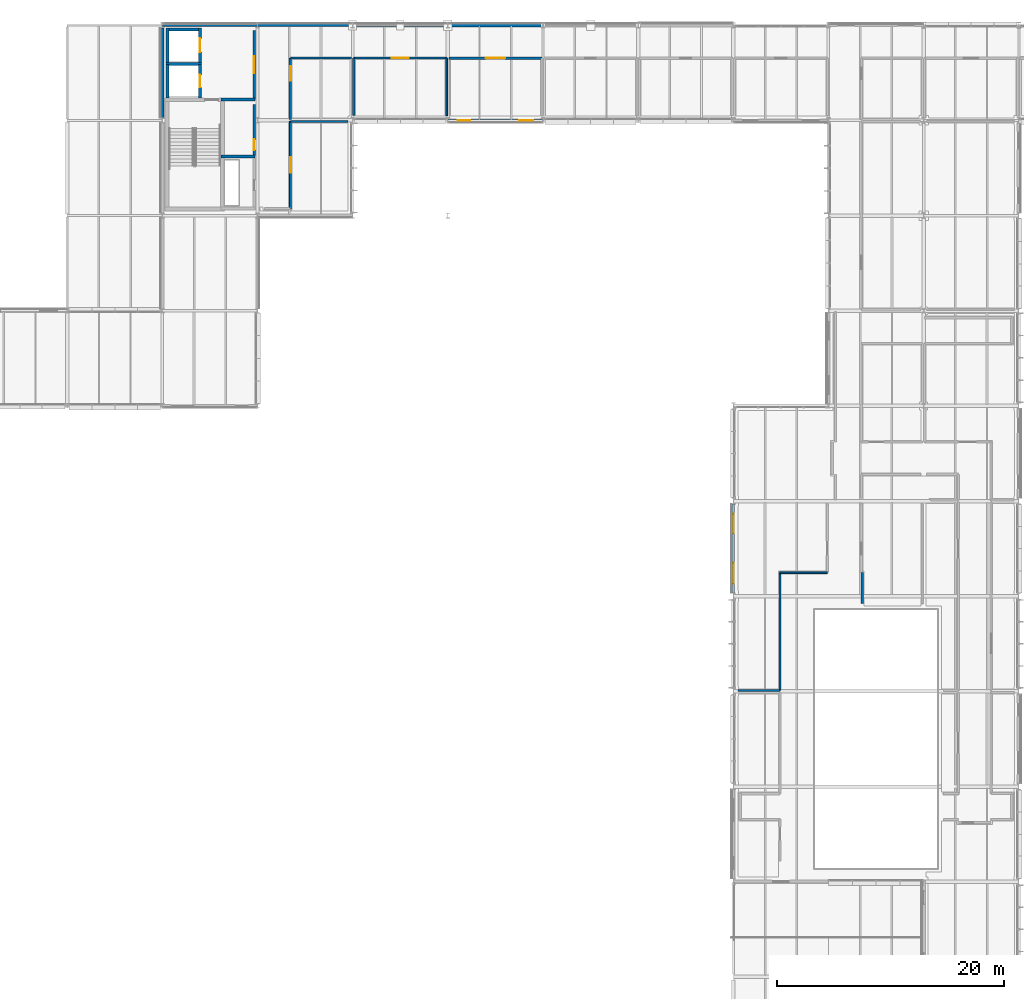
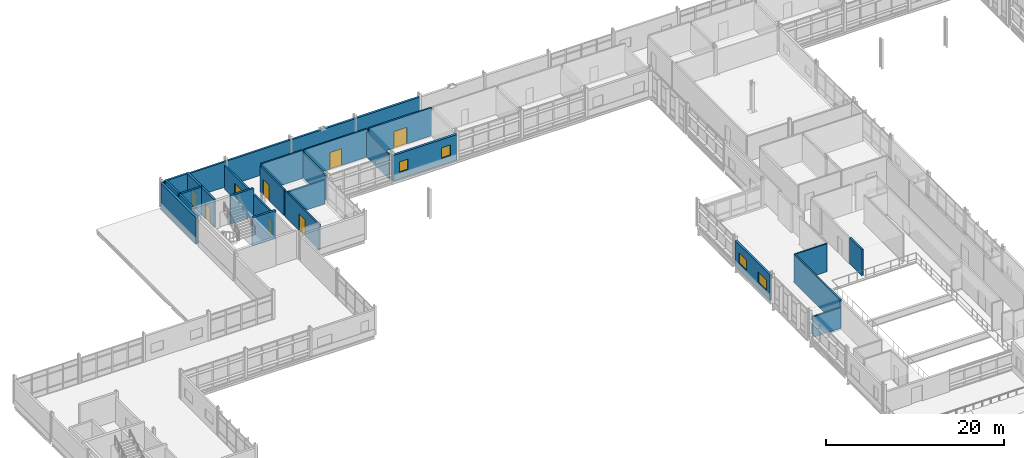
# One storey, part 108 of 131: 29 walls, 8 doors, 4 windows, 12 openings.
"""IFC4 building model written with IfcOpenShell, lengths in metres."""

from ifc_helpers import new_model, si_unit, direction, frame, frame_2d, origin, place, context, subcontext, project, spatial, rectangle, extrude, material, layer, layer_set, type_object, element, fill, save


model = new_model("IFC4")

# Units and contexts
model_context = context("Model", 3, precision=1e-05, world=origin(), true_north=direction((0.0, 1.0)))
body_context = subcontext(model_context, "Body", "Model", "MODEL_VIEW")
ifc_project = project(units=[si_unit("LENGTHUNIT", "METRE"), si_unit("AREAUNIT", "SQUARE_METRE"), si_unit("VOLUMEUNIT", "CUBIC_METRE"), si_unit("PLANEANGLEUNIT", "RADIAN"), si_unit("MASSUNIT", "GRAM", prefix="KILO")], contexts=[model_context])

# Site, building, storey
site_placement = place(None, origin())
site = spatial("IfcSite", under=ifc_project, at=site_placement, CompositionType="ELEMENT")
building_placement = place(site_placement, origin())
building = spatial("IfcBuilding", under=site, at=building_placement, Name="Mersafa Astral City Hall", CompositionType="ELEMENT")
storey_placement = place(building_placement, frame((0.0, 0.0, 13.949951171875)))
storey = spatial("IfcBuildingStorey", under=building, at=storey_placement, Name="L03", CompositionType="ELEMENT", Elevation=13.949951171875)

# Walls
ifc_material_1 = material(Name="Precast concrete C40/50 insulated terracotta spandrel", Category="masonry")
ifc_layer_1 = layer(ifc_material_1, 0.235107421875, Name="Precast concrete C40/50 insulated terracotta spandrel")
ifc_layer_set_1 = layer_set([ifc_layer_1], Name="Precast concrete C40/50 insulated terracotta spandrel — ENV-WAL-EXT-235")
wall_type_1 = type_object("IfcWallType", Name="ENV-WAL-EXT-235", PredefinedType="STANDARD", material=ifc_layer_set_1)
wall_1_placement = place(storey_placement, frame((50.39208984375, 126.0, 0.0), z_axis=(0.0, 0.0, 1.0), x_axis=(-1.0, 0.0, 0.0)))
element("IfcWall", 1, at=wall_1_placement, inside=storey, type_object=wall_type_1, Name="L03 Limestone-clad exterior wall 263", PredefinedType="STANDARD", context=body_context, shape_type="SweptSolid", body=[
    extrude(rectangle(XDim=8.384033203125, YDim=0.235107421875, at=frame_2d((4.19189453125, 0.0))), origin(), (0.0, 0.0, 1.0), 3.487060546875),
])
ifc_layer_2 = layer(ifc_material_1, 0.25, Name="Precast concrete C40/50 insulated terracotta spandrel")
ifc_layer_set_2 = layer_set([ifc_layer_2], Name="Precast concrete C40/50 insulated terracotta spandrel — ENV-WAL-EXT-250")
wall_type_2 = type_object("IfcWallType", Name="ENV-WAL-EXT-250", PredefinedType="STANDARD", material=ifc_layer_set_2)
wall_2_placement = place(storey_placement, frame((58.7919921875, 126.0, 0.0), z_axis=(0.0, 0.0, 1.0), x_axis=(-1.0, 0.0, 0.0)))
element("IfcWall", 2, at=wall_2_placement, inside=storey, type_object=wall_type_2, Name="L03 Limestone-clad exterior wall 262", PredefinedType="STANDARD", context=body_context, shape_type="SweptSolid", body=[
    extrude(rectangle(XDim=8.384033203125, YDim=0.25, at=frame_2d((4.19189453125, 0.0))), origin(), (0.0, 0.0, 1.0), 3.51708984375),
])

# Wall, openings, windows
wall_3_placement = place(storey_placement, frame((92.39990234375, 83.72900390625, 0.0), z_axis=(0.0, 0.0, 1.0), x_axis=(0.0, -1.0, 0.0)))
wall_3 = element("IfcWall", 3, at=wall_3_placement, inside=storey, type_object=wall_type_2, Name="L03 Limestone-clad exterior wall 280", PredefinedType="STANDARD", context=body_context, shape_type="SweptSolid", body=[
    extrude(rectangle(XDim=7.85791015625, YDim=0.25, at=frame_2d((3.928955078125, 0.0))), origin(), (0.0, 0.0, 1.0), 3.487060546875),
])
opening_1_placement = place(wall_3_placement, frame((0.85009765625, 0.0, 0.89990234375)))
opening_1 = element("IfcOpeningElement", 4, at=opening_1_placement, cuts=wall_3, Name="Opening W-28", PredefinedType="OPENING", context=body_context, shape_type="SweptSolid", body=[
    extrude(rectangle(XDim=1.719970703125, YDim=1.449951171875, at=frame_2d((0.85986328125, 0.72509765625))), frame((0.0, 0.135009765625, 0.0), z_axis=(0.0, -1.0, 0.0), x_axis=(1.0, 0.0, 0.0)), (0.0, 0.0, 1.0), 0.27001953125),
])
opening_2_placement = place(wall_3_placement, frame((5.18798828125, 0.0, 0.89990234375)))
opening_2 = element("IfcOpeningElement", 5, at=opening_2_placement, cuts=wall_3, Name="Opening W-29", PredefinedType="OPENING", context=body_context, shape_type="SweptSolid", body=[
    extrude(rectangle(XDim=1.820068359375, YDim=1.449951171875, at=frame_2d((0.91015625, 0.72509765625))), frame((0.0, 0.135009765625, 0.0), z_axis=(0.0, -1.0, 0.0), x_axis=(1.0, 0.0, 0.0)), (0.0, 0.0, 1.0), 0.27001953125),
])
ifc_material_2 = material(Name="Solar control low-e double glazing in bronze frame", Category="glass")
window_type_1 = type_object("IfcWindowType", Name="ENV-WIN-W-28", PartitioningType="SINGLE_PANEL", PredefinedType="WINDOW", material=ifc_material_2)
window_1_placement = place(opening_1_placement, origin())
window_1 = element("IfcWindow", 6, at=window_1_placement, inside=storey, type_object=window_type_1, Name="L03 Solar punched window 280-L", OverallHeight=1.449951171875, OverallWidth=1.719970703125, PartitioningType="SINGLE_PANEL", PredefinedType="WINDOW", context=body_context, shape_type="SweptSolid", body=[
    extrude(rectangle(XDim=1.719970703125, YDim=1.449951171875, at=frame_2d((0.85986328125, 0.72509765625))), frame((0.0, 0.030029296875, 0.0), z_axis=(0.0, -1.0, 0.0), x_axis=(1.0, 0.0, 0.0)), (0.0, 0.0, 1.0), 0.06005859375),
])
fill(opening_1, window_1)
window_type_2 = type_object("IfcWindowType", Name="ENV-WIN-W-29", PartitioningType="SINGLE_PANEL", PredefinedType="WINDOW", material=ifc_material_2)
window_2_placement = place(opening_2_placement, origin())
window_2 = element("IfcWindow", 7, at=window_2_placement, inside=storey, type_object=window_type_2, Name="L03 Solar punched window 280-R", OverallHeight=1.449951171875, OverallWidth=1.820068359375, PartitioningType="SINGLE_PANEL", PredefinedType="WINDOW", context=body_context, shape_type="SweptSolid", body=[
    extrude(rectangle(XDim=1.820068359375, YDim=1.449951171875, at=frame_2d((0.91015625, 0.72509765625))), frame((0.0, 0.030029296875, 0.0), z_axis=(0.0, -1.0, 0.0), x_axis=(1.0, 0.0, 0.0)), (0.0, 0.0, 1.0), 0.06005859375),
])
fill(opening_2, window_2)

# Walls
ifc_material_3 = material(Name="Precast concrete C40/50 insulated limestone wall", Category="masonry")
ifc_layer_3 = layer(ifc_material_3, 0.264892578125, Name="Precast concrete C40/50 insulated limestone wall")
ifc_layer_set_3 = layer_set([ifc_layer_3], Name="Precast concrete C40/50 insulated limestone wall — ENV-WAL-EXT-265")
wall_type_3 = type_object("IfcWallType", Name="ENV-WAL-EXT-265", PredefinedType="STANDARD", material=ifc_layer_set_3)
wall_4_placement = place(storey_placement, frame((67.19189453125, 126.0, 0.0), z_axis=(0.0, 0.0, 1.0), x_axis=(-1.0, 0.0, 0.0)))
element("IfcWall", 8, at=wall_4_placement, inside=storey, type_object=wall_type_3, Name="L03 Limestone-clad exterior wall 261", PredefinedType="STANDARD", context=body_context, shape_type="SweptSolid", body=[
    extrude(rectangle(XDim=8.3837890625, YDim=0.264892578125, at=frame_2d((4.19189453125, 0.0))), origin(), (0.0, 0.0, 1.0), 3.487060546875),
])
ifc_layer_4 = layer(ifc_material_3, 0.280029296875, Name="Precast concrete C40/50 insulated limestone wall")
ifc_layer_set_4 = layer_set([ifc_layer_4], Name="Precast concrete C40/50 insulated limestone wall — ENV-WAL-EXT-280")
wall_type_4 = type_object("IfcWallType", Name="ENV-WAL-EXT-280", PredefinedType="STANDARD", material=ifc_layer_set_4)
wall_5_placement = place(storey_placement, frame((75.592041015625, 126.0, 0.0), z_axis=(0.0, 0.0, 1.0), x_axis=(-1.0, 0.0, 0.0)))
element("IfcWall", 9, at=wall_5_placement, inside=storey, type_object=wall_type_4, Name="L03 Limestone-clad exterior wall 260", PredefinedType="STANDARD", context=body_context, shape_type="SweptSolid", body=[
    extrude(rectangle(XDim=8.384033203125, YDim=0.280029296875, at=frame_2d((4.19189453125, 0.0))), origin(), (0.0, 0.0, 1.0), 3.51708984375),
])

# Wall, openings, windows
ifc_layer_5 = layer(ifc_material_3, 0.294921875, Name="Precast concrete C40/50 insulated limestone wall")
ifc_layer_set_5 = layer_set([ifc_layer_5], Name="Precast concrete C40/50 insulated limestone wall — ENV-WAL-EXT-295")
wall_type_5 = type_object("IfcWallType", Name="ENV-WAL-EXT-295", PredefinedType="STANDARD", material=ifc_layer_set_5)
wall_6_placement = place(storey_placement, frame((67.2080078125, 117.60009765625, 0.0), z_axis=(0.0, 0.0, 1.0), x_axis=(1.0, 0.0, 0.0)))
wall_6 = element("IfcWall", 10, at=wall_6_placement, inside=storey, type_object=wall_type_5, Name="L03 Limestone-clad exterior wall 277", PredefinedType="STANDARD", context=body_context, shape_type="SweptSolid", body=[
    extrude(rectangle(XDim=8.384033203125, YDim=0.294921875, at=frame_2d((4.19189453125, 0.0))), origin(), (0.0, 0.0, 1.0), 3.487060546875),
])
opening_3_placement = place(wall_6_placement, frame((0.85009765625, 0.0, 0.89990234375)))
opening_3 = element("IfcOpeningElement", 11, at=opening_3_placement, cuts=wall_6, Name="Opening W-22", PredefinedType="OPENING", context=body_context, shape_type="SweptSolid", body=[
    extrude(rectangle(XDim=1.1201171875, YDim=1.449951171875, at=frame_2d((0.56005859375, 0.72509765625))), frame((0.0, 0.157470703125, 0.0), z_axis=(0.0, -1.0, 0.0), x_axis=(1.0, 0.0, 0.0)), (0.0, 0.0, 1.0), 0.31494140625),
])
opening_4_placement = place(wall_6_placement, frame((6.31396484375, 0.0, 0.89990234375)))
opening_4 = element("IfcOpeningElement", 12, at=opening_4_placement, cuts=wall_6, Name="Opening W-23", PredefinedType="OPENING", context=body_context, shape_type="SweptSolid", body=[
    extrude(rectangle(XDim=1.219970703125, YDim=1.449951171875, at=frame_2d((0.60986328125, 0.72509765625))), frame((0.0, 0.157470703125, 0.0), z_axis=(0.0, -1.0, 0.0), x_axis=(1.0, 0.0, 0.0)), (0.0, 0.0, 1.0), 0.31494140625),
])
window_type_3 = type_object("IfcWindowType", Name="ENV-WIN-W-22", PartitioningType="SINGLE_PANEL", PredefinedType="WINDOW", material=ifc_material_2)
window_3_placement = place(opening_3_placement, origin())
window_3 = element("IfcWindow", 13, at=window_3_placement, inside=storey, type_object=window_type_3, Name="L03 Solar punched window 277-L", OverallHeight=1.449951171875, OverallWidth=1.1201171875, PartitioningType="SINGLE_PANEL", PredefinedType="WINDOW", context=body_context, shape_type="SweptSolid", body=[
    extrude(rectangle(XDim=1.1201171875, YDim=1.449951171875, at=frame_2d((0.56005859375, 0.72509765625))), frame((0.0, 0.030029296875, 0.0), z_axis=(0.0, -1.0, 0.0), x_axis=(1.0, 0.0, 0.0)), (0.0, 0.0, 1.0), 0.06005859375),
])
fill(opening_3, window_3)
window_type_4 = type_object("IfcWindowType", Name="ENV-WIN-W-23", PartitioningType="SINGLE_PANEL", PredefinedType="WINDOW", material=ifc_material_2)
window_4_placement = place(opening_4_placement, origin())
window_4 = element("IfcWindow", 14, at=window_4_placement, inside=storey, type_object=window_type_4, Name="L03 Solar punched window 277-R", OverallHeight=1.449951171875, OverallWidth=1.219970703125, PartitioningType="SINGLE_PANEL", PredefinedType="WINDOW", context=body_context, shape_type="SweptSolid", body=[
    extrude(rectangle(XDim=1.219970703125, YDim=1.449951171875, at=frame_2d((0.60986328125, 0.72509765625))), frame((0.0, 0.030029296875, 0.0), z_axis=(0.0, -1.0, 0.0), x_axis=(1.0, 0.0, 0.0)), (0.0, 0.0, 1.0), 0.06005859375),
])
fill(opening_4, window_4)

# Walls
ifc_layer_6 = layer(ifc_material_3, 0.31005859375, Name="Precast concrete C40/50 insulated limestone wall")
ifc_layer_set_6 = layer_set([ifc_layer_6], Name="Precast concrete C40/50 insulated limestone wall — ENV-WAL-EXT-310")
wall_type_6 = type_object("IfcWallType", Name="ENV-WAL-EXT-310", PredefinedType="STANDARD", material=ifc_layer_set_6)
wall_7_placement = place(storey_placement, frame((42.0, 125.779052734375, 0.0), z_axis=(0.0, 0.0, 1.0), x_axis=(0.0, -1.0, 0.0)))
element("IfcWall", 15, at=wall_7_placement, inside=storey, type_object=wall_type_6, Name="L03 Limestone-clad exterior wall 264", PredefinedType="STANDARD", context=body_context, shape_type="SweptSolid", body=[
    extrude(rectangle(XDim=7.9580078125, YDim=0.31005859375, at=frame_2d((3.97900390625, 0.0))), origin(), (0.0, 0.0, 1.0), 3.5771484375),
])
ifc_material_4 = material(Name="Concrete C40/50", Category="concrete")
ifc_layer_7 = layer(ifc_material_4, 0.260009765625, Name="Concrete C40/50")
ifc_layer_set_7 = layer_set([ifc_layer_7], Name="Concrete C40/50 — INT-WAL-CORE-260")
wall_type_7 = type_object("IfcWallType", Name="INT-WAL-CORE-260", PredefinedType="SHEAR", material=ifc_layer_set_7)
wall_8_placement = place(storey_placement, frame((42.31494140625, 122.5849609375, 0.0), z_axis=(0.0, 0.0, 1.0), x_axis=(1.0, 0.0, 0.0)))
element("IfcWall", 16, at=wall_8_placement, inside=storey, type_object=wall_type_7, Name="L03 Lift LF5 north shaft wall", PredefinedType="SHEAR", context=body_context, shape_type="SweptSolid", body=[
    extrude(rectangle(XDim=3.130126953125, YDim=0.260009765625, at=frame_2d((1.56494140625, 0.0))), origin(), (0.0, 0.0, 1.0), 3.85009765625),
])
wall_9_placement = place(storey_placement, frame((42.445068359375, 119.596923828125, 0.0), z_axis=(0.0, 0.0, 1.0), x_axis=(0.0, 1.0, 0.0)))
element("IfcWall", 17, at=wall_9_placement, inside=storey, type_object=wall_type_7, Name="L03 Lift LF5 back shaft wall", PredefinedType="SHEAR", context=body_context, shape_type="SweptSolid", body=[
    extrude(rectangle(XDim=2.947998046875, YDim=0.260009765625, at=frame_2d((1.47412109375, 0.0))), origin(), (0.0, 0.0, 1.0), 3.85009765625),
])

# Wall, opening, door
wall_10_placement = place(storey_placement, frame((45.31494140625, 119.596923828125, 0.0), z_axis=(0.0, 0.0, 1.0), x_axis=(0.0, 1.0, 0.0)))
wall_10 = element("IfcWall", 18, at=wall_10_placement, inside=storey, type_object=wall_type_7, Name="L03 Lift LF5 front shaft wall", PredefinedType="SHEAR", context=body_context, shape_type="SweptSolid", body=[
    extrude(rectangle(XDim=2.947998046875, YDim=0.260009765625, at=frame_2d((1.47412109375, 0.0))), origin(), (0.0, 0.0, 1.0), 3.85009765625),
])
opening_5_placement = place(wall_10_placement, frame((0.924072265625, 0.0, 0.0)))
opening_5 = element("IfcOpeningElement", 19, at=opening_5_placement, cuts=wall_10, Name="Opening LD-1", PredefinedType="OPENING", context=body_context, shape_type="SweptSolid", body=[
    extrude(rectangle(XDim=1.10009765625, YDim=2.14990234375, at=frame_2d((0.550048828125, 1.074951171875))), frame((0.0, 0.139892578125, 0.0), z_axis=(0.0, -1.0, 0.0), x_axis=(1.0, 0.0, 0.0)), (0.0, 0.0, 1.0), 0.280029296875),
])
ifc_material_5 = material(Name="Stainless steel sliding lift landing door", Category="steel")
door_type_1 = type_object("IfcDoorType", Name="INT-DR-LIFT-LD1", OperationType="NOTDEFINED", PredefinedType="DOOR", material=ifc_material_5)
door_1_placement = place(opening_5_placement, origin())
door_1 = element("IfcDoor", 20, at=door_1_placement, inside=storey, type_object=door_type_1, Name="Elevator LF5 Sliding Landing Door L03", OperationType="DOUBLE_DOOR_SLIDING", OverallHeight=2.14990234375, OverallWidth=1.10009765625, PredefinedType="DOOR", context=body_context, shape_type="SweptSolid", body=[
    extrude(rectangle(XDim=1.10009765625, YDim=2.14990234375, at=frame_2d((0.550048828125, 1.074951171875))), frame((0.0, 0.02490234375, 0.0), z_axis=(0.0, -1.0, 0.0), x_axis=(1.0, 0.0, 0.0)), (0.0, 0.0, 1.0), 0.050048828125),
])
fill(opening_5, door_1)

# Walls
wall_11_placement = place(storey_placement, frame((42.31494140625, 125.635009765625, 0.0), z_axis=(0.0, 0.0, 1.0), x_axis=(1.0, 0.0, 0.0)))
element("IfcWall", 21, at=wall_11_placement, inside=storey, type_object=wall_type_7, Name="L03 Lift LF9 north shaft wall", PredefinedType="SHEAR", context=body_context, shape_type="SweptSolid", body=[
    extrude(rectangle(XDim=3.130126953125, YDim=0.260009765625, at=frame_2d((1.56494140625, 0.0))), origin(), (0.0, 0.0, 1.0), 3.85009765625),
])
wall_12_placement = place(storey_placement, frame((42.445068359375, 122.705078125, 0.0), z_axis=(0.0, 0.0, 1.0), x_axis=(0.0, 1.0, 0.0)))
element("IfcWall", 22, at=wall_12_placement, inside=storey, type_object=wall_type_7, Name="L03 Lift LF9 back shaft wall", PredefinedType="SHEAR", context=body_context, shape_type="SweptSolid", body=[
    extrude(rectangle(XDim=3.059814453125, YDim=0.260009765625, at=frame_2d((1.52978515625, 0.0))), origin(), (0.0, 0.0, 1.0), 3.85009765625),
])

# Wall, opening, door
wall_13_placement = place(storey_placement, frame((45.31494140625, 122.705078125, 0.0), z_axis=(0.0, 0.0, 1.0), x_axis=(0.0, 1.0, 0.0)))
wall_13 = element("IfcWall", 23, at=wall_13_placement, inside=storey, type_object=wall_type_7, Name="L03 Lift LF9 front shaft wall", PredefinedType="SHEAR", context=body_context, shape_type="SweptSolid", body=[
    extrude(rectangle(XDim=3.059814453125, YDim=0.260009765625, at=frame_2d((1.52978515625, 0.0))), origin(), (0.0, 0.0, 1.0), 3.85009765625),
])
opening_6_placement = place(wall_13_placement, frame((0.929931640625, 0.0, 0.0)))
opening_6 = element("IfcOpeningElement", 24, at=opening_6_placement, cuts=wall_13, Name="Opening LD-2", PredefinedType="OPENING", context=body_context, shape_type="SweptSolid", body=[
    extrude(rectangle(XDim=1.199951171875, YDim=2.14990234375, at=frame_2d((0.60009765625, 1.074951171875))), frame((0.0, 0.139892578125, 0.0), z_axis=(0.0, -1.0, 0.0), x_axis=(1.0, 0.0, 0.0)), (0.0, 0.0, 1.0), 0.280029296875),
])
ifc_material_6 = material(Name="Heavy-duty sliding goods lift landing door", Category="metal")
door_type_2 = type_object("IfcDoorType", Name="INT-DR-LIFT-LD2", OperationType="NOTDEFINED", PredefinedType="DOOR", material=ifc_material_6)
door_2_placement = place(opening_6_placement, origin())
door_2 = element("IfcDoor", 25, at=door_2_placement, inside=storey, type_object=door_type_2, Name="Elevator LF9 Sliding Landing Door L03", OperationType="DOUBLE_DOOR_SLIDING", OverallHeight=2.14990234375, OverallWidth=1.199951171875, PredefinedType="DOOR", context=body_context, shape_type="SweptSolid", body=[
    extrude(rectangle(XDim=1.199951171875, YDim=2.14990234375, at=frame_2d((0.60009765625, 1.074951171875))), frame((0.0, 0.02490234375, 0.0), z_axis=(0.0, -1.0, 0.0), x_axis=(1.0, 0.0, 0.0)), (0.0, 0.0, 1.0), 0.050048828125),
])
fill(opening_6, door_2)

# Walls
for number, where, z_axis, x_axis, name in (
    (26, (47.1650390625, 114.43505859375, 0.0), (0.0, 0.0, 1.0), (1.0, 0.0, 0.0), "L03 Core K3 riser-restroom divider wall"),
    (27, (47.1650390625, 119.43505859375, 0.0), (0.0, 0.0, 1.0), (1.0, 0.0, 0.0), "L03 Core K3 restroom-lobby divider wall"),
):
    element("IfcWall", number, at=place(storey_placement, frame(where, z_axis=z_axis, x_axis=x_axis)), inside=storey, type_object=wall_type_7, Name=name, PredefinedType="SHEAR", context=body_context, shape_type="SweptSolid", body=[
        extrude(rectangle(XDim=3.034912109375, YDim=0.260009765625, at=frame_2d((1.517578125, 0.0))), origin(), (0.0, 0.0, 1.0), 3.85009765625),
    ])
ifc_material_7 = material(Name="Fire-rated gypsum stud partition", Category="gypsum")
ifc_layer_8 = layer(ifc_material_7, 0.1650390625, Name="Fire-rated gypsum stud partition")
ifc_layer_set_8 = layer_set([ifc_layer_8], Name="Fire-rated gypsum stud partition — INT-WAL-PART-EI60-165")
wall_type_8 = type_object("IfcWallType", Name="INT-WAL-PART-EI60-165", PredefinedType="STANDARD", material=ifc_layer_set_8)
wall_14_placement = place(storey_placement, frame((100.7099609375, 77.679931640625, -0.00390625), z_axis=(0.0, 0.0, 1.0), x_axis=(-1.0, 0.0, 0.0)))
element("IfcWall", 28, at=wall_14_placement, inside=storey, type_object=wall_type_8, Name="L03 Interior partition wall 559", PredefinedType="STANDARD", context=body_context, shape_type="SweptSolid", body=[
    extrude(rectangle(XDim=4.18994140625, YDim=0.1650390625, at=frame_2d((2.094970703125, 0.0))), origin(), (0.0, 0.0, 1.0), 3.85400390625),
])

# Wall, opening, door
wall_15_placement = place(storey_placement, frame((53.300048828125, 109.820068359375, -0.00390625), z_axis=(0.0, 0.0, 1.0), x_axis=(0.0, 1.0, 0.0)))
wall_15 = element("IfcWall", 29, at=wall_15_placement, inside=storey, type_object=wall_type_8, Name="L03 Interior partition wall 615", PredefinedType="STANDARD", context=body_context, shape_type="SweptSolid", body=[
    extrude(rectangle(XDim=7.68994140625, YDim=0.1650390625, at=frame_2d((3.844970703125, 0.0))), origin(), (0.0, 0.0, 1.0), 3.551025390625),
])
opening_7_placement = place(wall_15_placement, frame((3.14501953125, 0.0, 0.0)))
opening_7 = element("IfcOpeningElement", 30, at=opening_7_placement, cuts=wall_15, Name="Opening D-34", PredefinedType="OPENING", context=body_context, shape_type="SweptSolid", body=[
    extrude(rectangle(XDim=1.39990234375, YDim=2.300048828125, at=frame_2d((0.699951171875, 1.14990234375))), frame((0.0, 0.092529296875, 0.0), z_axis=(0.0, -1.0, 0.0), x_axis=(1.0, 0.0, 0.0)), (0.0, 0.0, 1.0), 0.18505859375),
])
ifc_material_8 = material(Name="Cedar veneered acoustic fire-rated timber door", Category="wood")
door_type_3 = type_object("IfcDoorType", Name="INT-DR-RM-D-34", OperationType="NOTDEFINED", PredefinedType="DOOR", material=ifc_material_8)
door_3_placement = place(opening_7_placement, origin())
door_3 = element("IfcDoor", 31, at=door_3_placement, inside=storey, type_object=door_type_3, Name="L03 Standing Committee Room L03-14 Entrance Door", OperationType="SINGLE_SWING_RIGHT", OverallHeight=2.300048828125, OverallWidth=1.39990234375, PredefinedType="DOOR", context=body_context, shape_type="SweptSolid", body=[
    extrude(rectangle(XDim=1.39990234375, YDim=2.300048828125, at=frame_2d((0.699951171875, 1.14990234375))), frame((0.0, 0.02490234375, 0.0), z_axis=(0.0, -1.0, 0.0), x_axis=(1.0, 0.0, 0.0)), (0.0, 0.0, 1.0), 0.050048828125),
])
fill(opening_7, door_3)

# Wall
wall_16_placement = place(storey_placement, frame((67.110107421875, 123.10009765625, -0.00390625), z_axis=(0.0, 0.0, 1.0), x_axis=(0.0, -1.0, 0.0)))
element("IfcWall", 32, at=wall_16_placement, inside=storey, type_object=wall_type_8, Name="L03 Interior partition wall 619", PredefinedType="STANDARD", context=body_context, shape_type="SweptSolid", body=[
    extrude(rectangle(XDim=5.080078125, YDim=0.1650390625, at=frame_2d((2.5400390625, 0.0))), origin(), (0.0, 0.0, 1.0), 3.450927734375),
])

# Wall, opening, door
ifc_material_9 = material(Name="Acoustic twin-stud gypsum partition", Category="gypsum")
ifc_layer_9 = layer(ifc_material_9, 0.179931640625, Name="Acoustic twin-stud gypsum partition")
ifc_layer_set_9 = layer_set([ifc_layer_9], Name="Acoustic twin-stud gypsum partition — INT-WAL-PART-EI60-180")
wall_type_9 = type_object("IfcWallType", Name="INT-WAL-PART-EI60-180", PredefinedType="STANDARD", material=ifc_layer_set_9)
wall_17_placement = place(storey_placement, frame((58.889892578125, 123.10009765625, -0.00390625), z_axis=(0.0, 0.0, 1.0), x_axis=(1.0, 0.0, 0.0)))
wall_17 = element("IfcWall", 33, at=wall_17_placement, inside=storey, type_object=wall_type_9, Name="L03 Interior partition wall 618", PredefinedType="STANDARD", context=body_context, shape_type="SweptSolid", body=[
    extrude(rectangle(XDim=8.22021484375, YDim=0.179931640625, at=frame_2d((4.110107421875, 0.0))), origin(), (0.0, 0.0, 1.0), 3.85400390625),
])
opening_8_placement = place(wall_17_placement, frame((3.340087890625, 0.0, 0.0)))
opening_8 = element("IfcOpeningElement", 34, at=opening_8_placement, cuts=wall_17, Name="Opening D-35", PredefinedType="OPENING", context=body_context, shape_type="SweptSolid", body=[
    extrude(rectangle(XDim=1.5400390625, YDim=2.300048828125, at=frame_2d((0.77001953125, 1.14990234375))), frame((0.0, 0.099853515625, 0.0), z_axis=(0.0, -1.0, 0.0), x_axis=(1.0, 0.0, 0.0)), (0.0, 0.0, 1.0), 0.199951171875),
])
door_type_4 = type_object("IfcDoorType", Name="INT-DR-RM-D-35", OperationType="NOTDEFINED", PredefinedType="DOOR", material=ifc_material_8)
door_4_placement = place(opening_8_placement, origin())
door_4 = element("IfcDoor", 35, at=door_4_placement, inside=storey, type_object=door_type_4, Name="L03 Legal Counsel & Legislation Office L03-15 Entrance Door", OperationType="SINGLE_SWING_LEFT", OverallHeight=2.300048828125, OverallWidth=1.5400390625, PredefinedType="DOOR", context=body_context, shape_type="SweptSolid", body=[
    extrude(rectangle(XDim=1.5400390625, YDim=2.300048828125, at=frame_2d((0.77001953125, 1.14990234375))), frame((0.0, 0.02490234375, 0.0), z_axis=(0.0, -1.0, 0.0), x_axis=(1.0, 0.0, 0.0)), (0.0, 0.0, 1.0), 0.050048828125),
])
fill(opening_8, door_4)

# Walls
ifc_layer_10 = layer(ifc_material_9, 0.195068359375, Name="Acoustic twin-stud gypsum partition")
ifc_layer_set_10 = layer_set([ifc_layer_10], Name="Acoustic twin-stud gypsum partition — INT-WAL-PART-EI60-195")
wall_type_10 = type_object("IfcWallType", Name="INT-WAL-PART-EI60-195", PredefinedType="STANDARD", material=ifc_layer_set_10)
wall_18_placement = place(storey_placement, frame((96.52001953125, 67.2900390625, -0.00390625), z_axis=(0.0, 0.0, 1.0), x_axis=(-1.0, 0.0, 0.0)))
element("IfcWall", 36, at=wall_18_placement, inside=storey, type_object=wall_type_10, Name="L03 Interior partition wall 561", PredefinedType="STANDARD", context=body_context, shape_type="SweptSolid", body=[
    extrude(rectangle(XDim=3.699951171875, YDim=0.195068359375, at=frame_2d((1.85009765625, 0.0))), origin(), (0.0, 0.0, 1.0), 2.8359375),
])
wall_19_placement = place(storey_placement, frame((58.889892578125, 118.02001953125, -0.00390625), z_axis=(0.0, 0.0, 1.0), x_axis=(0.0, 1.0, 0.0)))
element("IfcWall", 37, at=wall_19_placement, inside=storey, type_object=wall_type_10, Name="L03 Interior partition wall 617", PredefinedType="STANDARD", context=body_context, shape_type="SweptSolid", body=[
    extrude(rectangle(XDim=5.080078125, YDim=0.195068359375, at=frame_2d((2.5400390625, 0.0))), origin(), (0.0, 0.0, 1.0), 3.36083984375),
])
wall_20_placement = place(storey_placement, frame((53.300048828125, 123.10009765625, -0.00390625), z_axis=(0.0, 0.0, 1.0), x_axis=(1.0, 0.0, 0.0)))
element("IfcWall", 38, at=wall_20_placement, inside=storey, type_object=wall_type_10, Name="L03 Interior partition wall 657", PredefinedType="STANDARD", context=body_context, shape_type="SweptSolid", body=[
    extrude(rectangle(XDim=5.409912109375, YDim=0.195068359375, at=frame_2d((2.705078125, 0.0))), origin(), (0.0, 0.0, 1.0), 3.85400390625),
])

# Wall, opening, door
ifc_material_10 = material(Name="Autoclaved aerated concrete blockwork plastered", Category="masonry")
ifc_layer_11 = layer(ifc_material_10, 0.2099609375, Name="Autoclaved aerated concrete blockwork plastered")
ifc_layer_set_11 = layer_set([ifc_layer_11], Name="Autoclaved aerated concrete blockwork plastered — INT-WAL-PART-EI60-210")
wall_type_11 = type_object("IfcWallType", Name="INT-WAL-PART-EI60-210", PredefinedType="STANDARD", material=ifc_layer_set_11)
wall_21_placement = place(storey_placement, frame((50.10009765625, 114.52001953125, 0.0), z_axis=(0.0, 0.0, 1.0), x_axis=(0.0, 1.0, 0.0)))
wall_21 = element("IfcWall", 39, at=wall_21_placement, inside=storey, type_object=wall_type_11, Name="L03 Core K3 accessible WC corridor partition", PredefinedType="STANDARD", context=body_context, shape_type="SweptSolid", body=[
    extrude(rectangle(XDim=4.47998046875, YDim=0.2099609375, at=frame_2d((2.239990234375, 0.0))), origin(), (0.0, 0.0, 1.0), 3.2470703125),
])
opening_9_placement = place(wall_21_placement, frame((0.449951171875, 0.0, 0.0)))
opening_9 = element("IfcOpeningElement", 40, at=opening_9_placement, cuts=wall_21, Name="Opening CD-4", PredefinedType="OPENING", context=body_context, shape_type="SweptSolid", body=[
    extrude(rectangle(XDim=0.949951171875, YDim=2.14990234375, at=frame_2d((0.47509765625, 1.074951171875))), frame((0.0, 0.114990234375, 0.0), z_axis=(0.0, -1.0, 0.0), x_axis=(1.0, 0.0, 0.0)), (0.0, 0.0, 1.0), 0.22998046875),
])
ifc_material_11 = material(Name="Accessible timber acoustic WC door", Category="wood")
door_type_5 = type_object("IfcDoorType", Name="INT-DR-WC-FD30-950", OperationType="NOTDEFINED", PredefinedType="DOOR", material=ifc_material_11)
door_5_placement = place(opening_9_placement, origin())
door_5 = element("IfcDoor", 41, at=door_5_placement, inside=storey, type_object=door_type_5, Name="L03 K3 Accessible Restroom Door", OperationType="SINGLE_SWING_LEFT", OverallHeight=2.14990234375, OverallWidth=0.949951171875, PredefinedType="DOOR", context=body_context, shape_type="SweptSolid", body=[
    extrude(rectangle(XDim=0.949951171875, YDim=2.14990234375, at=frame_2d((0.47509765625, 1.074951171875))), frame((0.0, 0.02490234375, 0.0), z_axis=(0.0, -1.0, 0.0), x_axis=(1.0, 0.0, 0.0)), (0.0, 0.0, 1.0), 0.050048828125),
])
fill(opening_9, door_5)

wall_22_placement = place(storey_placement, frame((50.10009765625, 119.43994140625, 0.0), z_axis=(0.0, 0.0, 1.0), x_axis=(0.0, 1.0, 0.0)))
wall_22 = element("IfcWall", 42, at=wall_22_placement, inside=storey, type_object=wall_type_11, Name="L03 Core K3 lobby corridor partition", PredefinedType="STANDARD", context=body_context, shape_type="SweptSolid", body=[
    extrude(rectangle(XDim=6.1201171875, YDim=0.2099609375, at=frame_2d((3.06005859375, 0.0))), origin(), (0.0, 0.0, 1.0), 3.2470703125),
])
opening_10_placement = place(wall_22_placement, frame((2.31005859375, 0.0, 0.0)))
opening_10 = element("IfcOpeningElement", 43, at=opening_10_placement, cuts=wall_22, Name="Opening CD-3", PredefinedType="OPENING", context=body_context, shape_type="SweptSolid", body=[
    extrude(rectangle(XDim=1.5, YDim=2.199951171875, at=frame_2d((0.75, 1.10009765625))), frame((0.0, 0.114990234375, 0.0), z_axis=(0.0, -1.0, 0.0), x_axis=(1.0, 0.0, 0.0)), (0.0, 0.0, 1.0), 0.22998046875),
])
ifc_material_12 = material(Name="Fire-rated glazed lobby door pair", Category="metal")
door_type_6 = type_object("IfcDoorType", Name="INT-DR-LOBBY-FD90-1500", OperationType="NOTDEFINED", PredefinedType="DOOR", material=ifc_material_12)
door_6_placement = place(opening_10_placement, origin())
door_6 = element("IfcDoor", 44, at=door_6_placement, inside=storey, type_object=door_type_6, Name="L03 K3 Lift Lobby Fire Door", OperationType="DOUBLE_DOOR_SINGLE_SWING", OverallHeight=2.199951171875, OverallWidth=1.5, PredefinedType="DOOR", context=body_context, shape_type="SweptSolid", body=[
    extrude(rectangle(XDim=1.5, YDim=2.199951171875, at=frame_2d((0.75, 1.10009765625))), frame((0.0, 0.02490234375, 0.0), z_axis=(0.0, -1.0, 0.0), x_axis=(1.0, 0.0, 0.0)), (0.0, 0.0, 1.0), 0.050048828125),
])
fill(opening_10, door_6)

# Walls
wall_23_placement = place(storey_placement, frame((96.52001953125, 77.679931640625, -0.00390625), z_axis=(0.0, 0.0, 1.0), x_axis=(0.0, -1.0, 0.0)))
element("IfcWall", 45, at=wall_23_placement, inside=storey, type_object=wall_type_11, Name="L03 Interior partition wall 560", PredefinedType="STANDARD", context=body_context, shape_type="SweptSolid", body=[
    extrude(rectangle(XDim=10.389892578125, YDim=0.2099609375, at=frame_2d((5.19482421875, 0.0))), origin(), (0.0, 0.0, 1.0), 3.85400390625),
])
wall_24_placement = place(storey_placement, frame((103.780029296875, 74.93994140625, -0.00390625), z_axis=(0.0, 0.0, 1.0), x_axis=(0.0, 1.0, 0.0)))
element("IfcWall", 46, at=wall_24_placement, inside=storey, type_object=wall_type_11, Name="L03 Interior partition wall 604", PredefinedType="STANDARD", context=body_context, shape_type="SweptSolid", body=[
    extrude(rectangle(XDim=2.739990234375, YDim=0.2099609375, at=frame_2d((1.3701171875, 0.0))), origin(), (0.0, 0.0, 1.0), 3.5810546875),
])
wall_25_placement = place(storey_placement, frame((53.300048828125, 117.510009765625, -0.00390625), z_axis=(0.0, 0.0, 1.0), x_axis=(1.0, 0.0, 0.0)))
element("IfcWall", 47, at=wall_25_placement, inside=storey, type_object=wall_type_11, Name="L03 Interior partition wall 616", PredefinedType="STANDARD", context=body_context, shape_type="SweptSolid", body=[
    extrude(rectangle(XDim=5.079833984375, YDim=0.2099609375, at=frame_2d((2.5400390625, 0.0))), origin(), (0.0, 0.0, 1.0), 3.301025390625),
])

# Wall, opening, door
wall_26_placement = place(storey_placement, frame((67.2900390625, 123.10009765625, -0.00390625), z_axis=(0.0, 0.0, 1.0), x_axis=(1.0, 0.0, 0.0)))
wall_26 = element("IfcWall", 48, at=wall_26_placement, inside=storey, type_object=wall_type_11, Name="L03 Interior partition wall 620", PredefinedType="STANDARD", context=body_context, shape_type="SweptSolid", body=[
    extrude(rectangle(XDim=8.219970703125, YDim=0.2099609375, at=frame_2d((4.10986328125, 0.0))), origin(), (0.0, 0.0, 1.0), 3.85400390625),
])
opening_11_placement = place(wall_26_placement, frame((3.25, 0.0, 0.0)))
opening_11 = element("IfcOpeningElement", 49, at=opening_11_placement, cuts=wall_26, Name="Opening D-36", PredefinedType="OPENING", context=body_context, shape_type="SweptSolid", body=[
    extrude(rectangle(XDim=1.719970703125, YDim=2.300048828125, at=frame_2d((0.85986328125, 1.14990234375))), frame((0.0, 0.114990234375, 0.0), z_axis=(0.0, -1.0, 0.0), x_axis=(1.0, 0.0, 0.0)), (0.0, 0.0, 1.0), 0.22998046875),
])
door_type_7 = type_object("IfcDoorType", Name="INT-DR-RM-D-36", OperationType="NOTDEFINED", PredefinedType="DOOR", material=ifc_material_8)
door_7_placement = place(opening_11_placement, origin())
door_7 = element("IfcDoor", 50, at=door_7_placement, inside=storey, type_object=door_type_7, Name="L03 Public Procurement Review Room L03-16 Entrance Door", OperationType="SINGLE_SWING_RIGHT", OverallHeight=2.300048828125, OverallWidth=1.719970703125, PredefinedType="DOOR", context=body_context, shape_type="SweptSolid", body=[
    extrude(rectangle(XDim=1.719970703125, YDim=2.300048828125, at=frame_2d((0.85986328125, 1.14990234375))), frame((0.0, 0.02490234375, 0.0), z_axis=(0.0, -1.0, 0.0), x_axis=(1.0, 0.0, 0.0)), (0.0, 0.0, 1.0), 0.050048828125),
])
fill(opening_11, door_7)

wall_27_placement = place(storey_placement, frame((53.300048828125, 117.68994140625, -0.00390625), z_axis=(0.0, 0.0, 1.0), x_axis=(0.0, 1.0, 0.0)))
wall_27 = element("IfcWall", 51, at=wall_27_placement, inside=storey, type_object=wall_type_11, Name="L03 Interior partition wall 656", PredefinedType="STANDARD", context=body_context, shape_type="SweptSolid", body=[
    extrude(rectangle(XDim=5.41015625, YDim=0.2099609375, at=frame_2d((2.705078125, 0.0))), origin(), (0.0, 0.0, 1.0), 3.5810546875),
])
opening_12_placement = place(wall_27_placement, frame((3.41748046875, 0.0, 0.0)))
opening_12 = element("IfcOpeningElement", 52, at=opening_12_placement, cuts=wall_27, Name="Opening D-15", PredefinedType="OPENING", context=body_context, shape_type="SweptSolid", body=[
    extrude(rectangle(XDim=1.280029296875, YDim=2.139892578125, at=frame_2d((0.64013671875, 1.06982421875))), frame((0.0, 0.114990234375, 0.0), z_axis=(0.0, -1.0, 0.0), x_axis=(1.0, 0.0, 0.0)), (0.0, 0.0, 1.0), 0.22998046875),
])
door_type_8 = type_object("IfcDoorType", Name="INT-DR-RM-D-15", OperationType="NOTDEFINED", PredefinedType="DOOR", material=ifc_material_8)
door_8_placement = place(opening_12_placement, origin())
door_8 = element("IfcDoor", 53, at=door_8_placement, inside=storey, type_object=door_type_8, Name="L03 Municipal Finance & Treasury Office L03-31 Entrance Door", OperationType="SINGLE_SWING_LEFT", OverallHeight=2.139892578125, OverallWidth=1.280029296875, PredefinedType="DOOR", context=body_context, shape_type="SweptSolid", body=[
    extrude(rectangle(XDim=1.280029296875, YDim=2.139892578125, at=frame_2d((0.64013671875, 1.06982421875))), frame((0.0, 0.02490234375, 0.0), z_axis=(0.0, -1.0, 0.0), x_axis=(1.0, 0.0, 0.0)), (0.0, 0.0, 1.0), 0.050048828125),
])
fill(opening_12, door_8)

save(model, "model.ifc")
